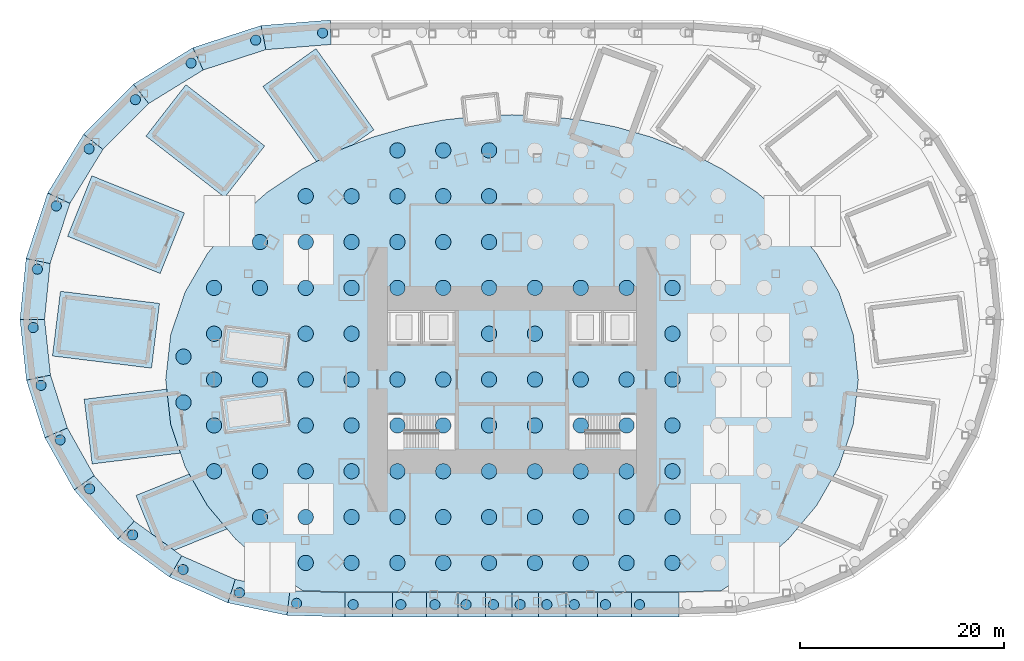
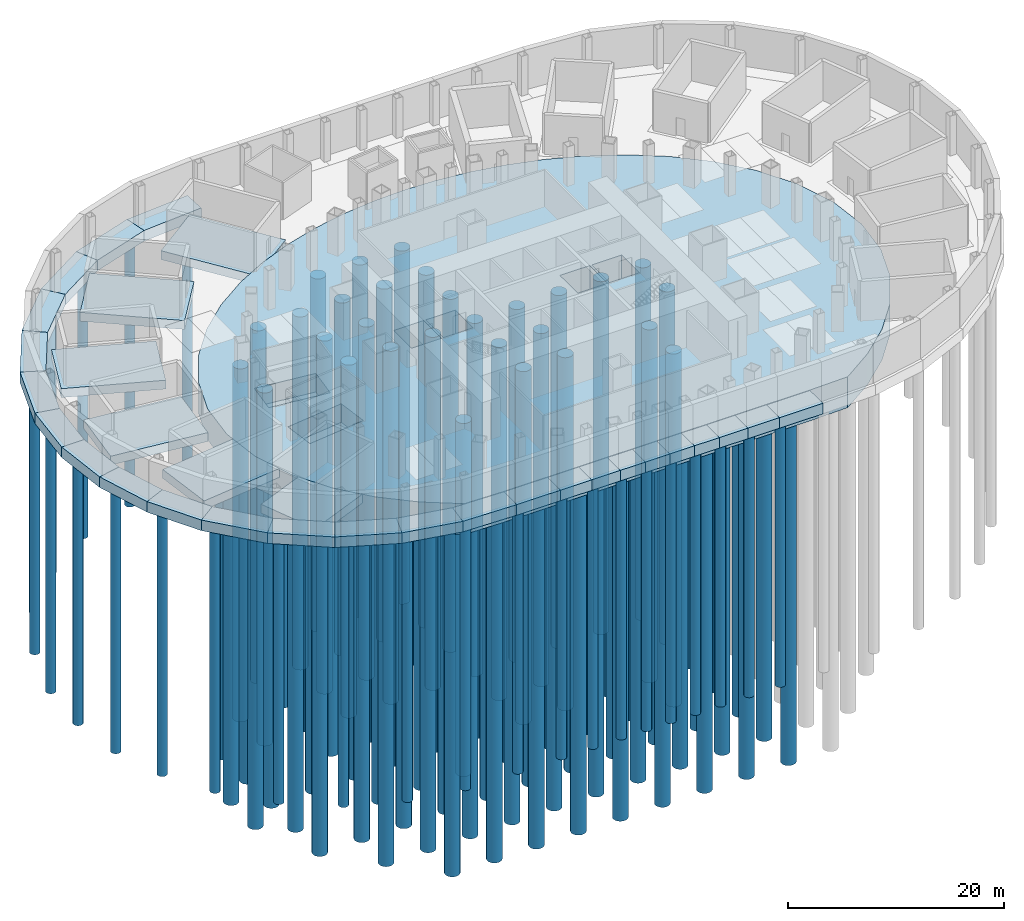
# One storey, part 1 of 11: 109 piles, 34 footings.
"""IFC4 building model written with IfcOpenShell, lengths in metres."""

from ifc_helpers import new_model, si_unit, direction, frame, origin, origin_2d, place, context, subcontext, project, spatial, polyline, circle, outline, extrude, material, layer, layer_set, material_profile, profile_set, type_object, element, save


model = new_model("IFC4")

# Units and contexts
model_context = context("Model", 3, precision=1e-05, world=origin(), true_north=direction((0.0, 1.0)))
body_context = subcontext(model_context, "Body", "Model", "MODEL_VIEW")
ifc_project = project(units=[si_unit("LENGTHUNIT", "METRE"), si_unit("AREAUNIT", "SQUARE_METRE"), si_unit("VOLUMEUNIT", "CUBIC_METRE"), si_unit("PLANEANGLEUNIT", "RADIAN"), si_unit("MASSUNIT", "GRAM", prefix="KILO")], contexts=[model_context])

# Site, building, storey
site_placement = place(None, origin())
site = spatial("IfcSite", under=ifc_project, at=site_placement, CompositionType="ELEMENT")
building_placement = place(site_placement, origin())
building = spatial("IfcBuilding", under=site, at=building_placement, Name="Lantaw Convention Tower", CompositionType="ELEMENT")
storey_placement = place(building_placement, frame((0.0, 0.0, -10.0)))
storey = spatial("IfcBuildingStorey", under=building, at=storey_placement, Name="B2", CompositionType="ELEMENT", Elevation=-10.0)

# Piles
ifc_material_1 = material(Name="Concrete C45/55", Category="concrete")
ifc_material_profile_1 = material_profile(ifc_material_1, circle(Radius=0.5, at=origin_2d()), Name="Bored pile 1000")
ifc_profile_set_1 = profile_set([ifc_material_profile_1], Name="Concrete C45/55")
pile_type_1 = type_object("IfcPileType", Name="Bored pile 1000", PredefinedType="BORED", material=ifc_profile_set_1)
for number, where, z_axis, x_axis, name in (
    (1, (-18.5947265625, 34.035888671875, -1.199951171875), (0.0, 0.0, -1.0), (1.0, 0.0, 0.0), "Wall pile 17"),
    (2, (-25.162353515625, 33.32275390625, -1.199951171875), (0.0, 0.0, -1.0), (1.0, 0.0, 0.0), "Wall pile 18"),
    (3, (-31.501708984375, 31.06689453125, -1.199951171875), (0.0, 0.0, -1.0), (1.0, 0.0, 0.0), "Wall pile 19"),
    (4, (-36.978515625, 27.47900390625, -1.199951171875), (0.0, 0.0, -1.0), (1.0, 0.0, 0.0), "Wall pile 20"),
    (5, (-41.524658203125, 22.654052734375, -1.199951171875), (0.0, 0.0, -1.0), (1.0, 0.0, 0.0), "Wall pile 21"),
    (6, (-44.7412109375, 17.0498046875, -1.199951171875), (0.0, 0.0, -1.0), (1.0, 0.0, 0.0), "Wall pile 22"),
    (7, (-46.603271484375, 10.837158203125, -1.199951171875), (0.0, 0.0, -1.0), (1.0, 0.0, 0.0), "Wall pile 23"),
    (8, (-47.010498046875, 5.101318359375, -1.199951171875), (0.0, 0.0, -1.0), (1.0, 0.0, 0.0), "Wall pile 24"),
    (9, (-46.243408203125, -0.5751953125, -1.199951171875), (0.0, 0.0, -1.0), (1.0, 0.0, 0.0), "Wall pile 25"),
    (10, (-44.359375, -5.932861328125, -1.199951171875), (0.0, 0.0, -1.0), (1.0, 0.0, 0.0), "Wall pile 26"),
    (11, (-41.47265625, -10.732666015625, -1.199951171875), (0.0, 0.0, -1.0), (1.0, 0.0, 0.0), "Wall pile 27"),
    (12, (-37.2509765625, -15.2607421875, -1.199951171875), (0.0, 0.0, -1.0), (1.0, 0.0, 0.0), "Wall pile 28"),
    (13, (-32.29150390625, -18.667724609375, -1.199951171875), (0.0, 0.0, -1.0), (1.0, 0.0, 0.0), "Wall pile 29"),
    (14, (-26.7509765625, -20.93212890625, -1.199951171875), (0.0, 0.0, -1.0), (1.0, 0.0, 0.0), "Wall pile 30"),
    (15, (-21.149169921875, -21.964111328125, -1.199951171875), (0.0, 0.0, -1.0), (1.0, 0.0, 0.0), "Wall pile 31"),
    (16, (-15.5927734375, -22.10009765625, -1.199951171875), (0.0, 0.0, -1.0), (1.0, 0.0, 0.0), "Wall pile 32"),
    (17, (-10.919189453125, -22.10009765625, -1.199951171875), (0.0, 0.0, -1.0), (1.0, 0.0, 0.0), "Wall pile 33"),
    (18, (-7.5712890625, -22.10009765625, -1.199951171875), (0.0, 0.0, -1.0), (1.0, 0.0, 0.0), "Wall pile 34"),
    (19, (-4.510009765625, -22.10009765625, -1.199951171875), (0.0, 0.0, -1.0), (1.0, 0.0, 0.0), "Wall pile 35"),
    (20, (-1.820556640625, -22.10009765625, -1.199951171875), (0.0, 0.0, -1.0), (1.0, 0.0, 0.0), "Wall pile 36"),
    (21, (0.800048828125, -22.10009765625, -1.199951171875), (0.0, 0.0, -1.0), (1.0, 0.0, 0.0), "Wall pile 37"),
    (22, (3.42041015625, -22.10009765625, -1.199951171875), (0.0, 0.0, -1.0), (1.0, 0.0, 0.0), "Wall pile 38"),
    (23, (6.10986328125, -22.10009765625, -1.199951171875), (0.0, 0.0, -1.0), (1.0, 0.0, 0.0), "Wall pile 39"),
    (24, (9.17138671875, -22.10009765625, -1.199951171875), (0.0, 0.0, -1.0), (1.0, 0.0, 0.0), "Wall pile 40"),
    (25, (12.51904296875, -22.10009765625, -1.199951171875), (0.0, 0.0, -1.0), (1.0, 0.0, 0.0), "Wall pile 41"),
):
    element("IfcPile", number, at=place(storey_placement, frame(where, z_axis=z_axis, x_axis=x_axis)), inside=storey, type_object=pile_type_1, Name=name, PredefinedType="BORED", context=body_context, shape_type="SweptSolid", body=[
        extrude(circle(Radius=0.5, at=origin_2d()), origin(), (0.0, 0.0, 1.0), 30.0),
    ])
ifc_material_profile_2 = material_profile(ifc_material_1, circle(Radius=0.75, at=origin_2d()), Name="Bored pile 1500")
ifc_profile_set_2 = profile_set([ifc_material_profile_2], Name="Concrete C45/55")
pile_type_2 = type_object("IfcPileType", Name="Bored pile 1500", PredefinedType="BORED", material=ifc_profile_set_2)
for number, where, z_axis, x_axis, name in (
    (26, (-20.25, -18.0, -3.5), (0.0, 0.0, -1.0), (1.0, 0.0, 0.0), "Raft pile 1"),
    (27, (-15.75, -18.0, -3.5), (0.0, 0.0, -1.0), (1.0, 0.0, 0.0), "Raft pile 2"),
    (28, (-11.25, -18.0, -3.5), (0.0, 0.0, -1.0), (1.0, 0.0, 0.0), "Raft pile 3"),
    (29, (-6.75, -18.0, -3.5), (0.0, 0.0, -1.0), (1.0, 0.0, 0.0), "Raft pile 4"),
    (30, (-2.25, -18.0, -3.5), (0.0, 0.0, -1.0), (1.0, 0.0, 0.0), "Raft pile 5"),
    (31, (2.25, -18.0, -3.5), (0.0, 0.0, -1.0), (1.0, 0.0, 0.0), "Raft pile 6"),
    (32, (6.75, -18.0, -3.5), (0.0, 0.0, -1.0), (1.0, 0.0, 0.0), "Raft pile 7"),
    (33, (11.25, -18.0, -3.5), (0.0, 0.0, -1.0), (1.0, 0.0, 0.0), "Raft pile 8"),
    (34, (15.75, -18.0, -3.5), (0.0, 0.0, -1.0), (1.0, 0.0, 0.0), "Raft pile 9"),
    (35, (-24.75, -13.5, -3.5), (0.0, 0.0, -1.0), (1.0, 0.0, 0.0), "Raft pile 11"),
    (36, (-20.25, -13.5, -3.5), (0.0, 0.0, -1.0), (1.0, 0.0, 0.0), "Raft pile 12"),
    (37, (-15.75, -13.5, -3.5), (0.0, 0.0, -1.0), (1.0, 0.0, 0.0), "Raft pile 13"),
    (38, (-11.25, -13.5, -3.5), (0.0, 0.0, -1.0), (1.0, 0.0, 0.0), "Raft pile 14"),
    (39, (-6.75, -13.5, -3.5), (0.0, 0.0, -1.0), (1.0, 0.0, 0.0), "Raft pile 15"),
    (40, (-2.25, -13.5, -3.5), (0.0, 0.0, -1.0), (1.0, 0.0, 0.0), "Raft pile 16"),
    (41, (2.25, -13.5, -3.5), (0.0, 0.0, -1.0), (1.0, 0.0, 0.0), "Raft pile 17"),
    (42, (6.75, -13.5, -3.5), (0.0, 0.0, -1.0), (1.0, 0.0, 0.0), "Raft pile 18"),
    (43, (11.25, -13.5, -3.5), (0.0, 0.0, -1.0), (1.0, 0.0, 0.0), "Raft pile 19"),
    (44, (15.75, -13.5, -3.5), (0.0, 0.0, -1.0), (1.0, 0.0, 0.0), "Raft pile 20"),
    (45, (-29.25, -9.0, -3.5), (0.0, 0.0, -1.0), (1.0, 0.0, 0.0), "Raft pile 23"),
    (46, (-24.75, -9.0, -3.5), (0.0, 0.0, -1.0), (1.0, 0.0, 0.0), "Raft pile 24"),
    (47, (-20.25, -9.0, -3.5), (0.0, 0.0, -1.0), (1.0, 0.0, 0.0), "Raft pile 25"),
    (48, (-15.75, -9.0, -3.5), (0.0, 0.0, -1.0), (1.0, 0.0, 0.0), "Raft pile 26"),
    (49, (-11.25, -9.0, -3.5), (0.0, 0.0, -1.0), (1.0, 0.0, 0.0), "Raft pile 27"),
    (50, (-6.75, -9.0, -3.5), (0.0, 0.0, -1.0), (1.0, 0.0, 0.0), "Raft pile 28"),
    (51, (-2.25, -9.0, -3.5), (0.0, 0.0, -1.0), (1.0, 0.0, 0.0), "Raft pile 29"),
    (52, (2.25, -9.0, -3.5), (0.0, 0.0, -1.0), (1.0, 0.0, 0.0), "Raft pile 30"),
    (53, (6.75, -9.0, -3.5), (0.0, 0.0, -1.0), (1.0, 0.0, 0.0), "Raft pile 31"),
    (54, (11.25, -9.0, -3.5), (0.0, 0.0, -1.0), (1.0, 0.0, 0.0), "Raft pile 32"),
    (55, (15.75, -9.0, -3.5), (0.0, 0.0, -1.0), (1.0, 0.0, 0.0), "Raft pile 33"),
    (56, (-29.25, -4.5, -3.5), (0.0, 0.0, -1.0), (1.0, 0.0, 0.0), "Raft pile 37"),
    (57, (-32.25, -2.25, -3.5), (0.0, 0.0, -1.0), (1.0, 0.0, 0.0), "Raft pile 38"),
    (58, (-20.25, -4.5, -3.5), (0.0, 0.0, -1.0), (1.0, 0.0, 0.0), "Raft pile 39"),
    (59, (-15.75, -4.5, -3.5), (0.0, 0.0, -1.0), (1.0, 0.0, 0.0), "Raft pile 40"),
    (60, (-11.25, -4.5, -3.5), (0.0, 0.0, -1.0), (1.0, 0.0, 0.0), "Raft pile 41"),
    (61, (-6.75, -4.5, -3.5), (0.0, 0.0, -1.0), (1.0, 0.0, 0.0), "Raft pile 42"),
    (62, (-2.25, -4.5, -3.5), (0.0, 0.0, -1.0), (1.0, 0.0, 0.0), "Raft pile 43"),
    (63, (2.25, -4.5, -3.5), (0.0, 0.0, -1.0), (1.0, 0.0, 0.0), "Raft pile 44"),
    (64, (6.75, -4.5, -3.5), (0.0, 0.0, -1.0), (1.0, 0.0, 0.0), "Raft pile 45"),
    (65, (11.25, -4.5, -3.5), (0.0, 0.0, -1.0), (1.0, 0.0, 0.0), "Raft pile 46"),
    (66, (15.75, -4.5, -3.5), (0.0, 0.0, -1.0), (1.0, 0.0, 0.0), "Raft pile 47"),
    (67, (-29.25, 0.0, -3.5), (0.0, 0.0, -1.0), (1.0, 0.0, 0.0), "Raft pile 51"),
    (68, (-24.75, 0.0, -3.5), (0.0, 0.0, -1.0), (1.0, 0.0, 0.0), "Raft pile 52"),
    (69, (-20.25, 0.0, -3.5), (0.0, 0.0, -1.0), (1.0, 0.0, 0.0), "Raft pile 53"),
    (70, (-15.75, 0.0, -3.5), (0.0, 0.0, -1.0), (1.0, 0.0, 0.0), "Raft pile 54"),
    (71, (-11.25, 0.0, -3.5), (0.0, 0.0, -1.0), (1.0, 0.0, 0.0), "Raft pile 55"),
    (72, (-6.75, 0.0, -3.5), (0.0, 0.0, -1.0), (1.0, 0.0, 0.0), "Raft pile 56"),
    (73, (-2.25, 0.0, -3.5), (0.0, 0.0, -1.0), (1.0, 0.0, 0.0), "Raft pile 57"),
    (74, (2.25, 0.0, -3.5), (0.0, 0.0, -1.0), (1.0, 0.0, 0.0), "Raft pile 58"),
    (75, (6.75, 0.0, -3.5), (0.0, 0.0, -1.0), (1.0, 0.0, 0.0), "Raft pile 59"),
    (76, (11.25, 0.0, -3.5), (0.0, 0.0, -1.0), (1.0, 0.0, 0.0), "Raft pile 60"),
    (77, (15.75, 0.0, -3.5), (0.0, 0.0, -1.0), (1.0, 0.0, 0.0), "Raft pile 61"),
    (78, (-29.25, 4.5, -3.5), (0.0, 0.0, -1.0), (1.0, 0.0, 0.0), "Raft pile 65"),
    (79, (-32.25, 2.25, -3.5), (0.0, 0.0, -1.0), (1.0, 0.0, 0.0), "Raft pile 66"),
    (80, (-20.25, 4.5, -3.5), (0.0, 0.0, -1.0), (1.0, 0.0, 0.0), "Raft pile 67"),
    (81, (-15.75, 4.5, -3.5), (0.0, 0.0, -1.0), (1.0, 0.0, 0.0), "Raft pile 68"),
    (82, (-2.25, 4.5, -3.5), (0.0, 0.0, -1.0), (1.0, 0.0, 0.0), "Raft pile 69"),
    (83, (2.25, 4.5, -3.5), (0.0, 0.0, -1.0), (1.0, 0.0, 0.0), "Raft pile 70"),
    (84, (15.75, 4.5, -3.5), (0.0, 0.0, -1.0), (1.0, 0.0, 0.0), "Raft pile 71"),
    (85, (-29.25, 9.0, -3.5), (0.0, 0.0, -1.0), (1.0, 0.0, 0.0), "Raft pile 75"),
    (86, (-24.75, 9.0, -3.5), (0.0, 0.0, -1.0), (1.0, 0.0, 0.0), "Raft pile 76"),
    (87, (-20.25, 9.0, -3.5), (0.0, 0.0, -1.0), (1.0, 0.0, 0.0), "Raft pile 77"),
    (88, (-15.75, 9.0, -3.5), (0.0, 0.0, -1.0), (1.0, 0.0, 0.0), "Raft pile 78"),
    (89, (-11.25, 9.0, -3.5), (0.0, 0.0, -1.0), (1.0, 0.0, 0.0), "Raft pile 79"),
    (90, (-6.75, 9.0, -3.5), (0.0, 0.0, -1.0), (1.0, 0.0, 0.0), "Raft pile 80"),
    (91, (-2.25, 9.0, -3.5), (0.0, 0.0, -1.0), (1.0, 0.0, 0.0), "Raft pile 81"),
    (92, (2.25, 9.0, -3.5), (0.0, 0.0, -1.0), (1.0, 0.0, 0.0), "Raft pile 82"),
    (93, (6.75, 9.0, -3.5), (0.0, 0.0, -1.0), (1.0, 0.0, 0.0), "Raft pile 83"),
    (94, (11.25, 9.0, -3.5), (0.0, 0.0, -1.0), (1.0, 0.0, 0.0), "Raft pile 84"),
    (95, (15.75, 9.0, -3.5), (0.0, 0.0, -1.0), (1.0, 0.0, 0.0), "Raft pile 85"),
    (96, (-24.75, 13.5, -3.5), (0.0, 0.0, -1.0), (1.0, 0.0, 0.0), "Raft pile 89"),
    (97, (-20.25, 13.5, -3.5), (0.0, 0.0, -1.0), (1.0, 0.0, 0.0), "Raft pile 90"),
    (98, (-15.75, 13.5, -3.5), (0.0, 0.0, -1.0), (1.0, 0.0, 0.0), "Raft pile 91"),
    (99, (-11.25, 13.5, -3.5), (0.0, 0.0, -1.0), (1.0, 0.0, 0.0), "Raft pile 92"),
    (100, (-6.75, 13.5, -3.5), (0.0, 0.0, -1.0), (1.0, 0.0, 0.0), "Raft pile 93"),
    (101, (-2.25, 13.5, -3.5), (0.0, 0.0, -1.0), (1.0, 0.0, 0.0), "Raft pile 94"),
    (102, (-20.25, 18.0, -3.5), (0.0, 0.0, -1.0), (1.0, 0.0, 0.0), "Raft pile 101"),
    (103, (-15.75, 18.0, -3.5), (0.0, 0.0, -1.0), (1.0, 0.0, 0.0), "Raft pile 102"),
    (104, (-11.25, 18.0, -3.5), (0.0, 0.0, -1.0), (1.0, 0.0, 0.0), "Raft pile 103"),
    (105, (-6.75, 18.0, -3.5), (0.0, 0.0, -1.0), (1.0, 0.0, 0.0), "Raft pile 104"),
    (106, (-2.25, 18.0, -3.5), (0.0, 0.0, -1.0), (1.0, 0.0, 0.0), "Raft pile 105"),
    (107, (-11.25, 22.5, -3.5), (0.0, 0.0, -1.0), (1.0, 0.0, 0.0), "Raft pile 111"),
    (108, (-6.75, 22.5, -3.5), (0.0, 0.0, -1.0), (1.0, 0.0, 0.0), "Raft pile 112"),
    (109, (-2.25, 22.5, -3.5), (0.0, 0.0, -1.0), (1.0, 0.0, 0.0), "Raft pile 113"),
):
    element("IfcPile", number, at=place(storey_placement, frame(where, z_axis=z_axis, x_axis=x_axis)), inside=storey, type_object=pile_type_2, Name=name, PredefinedType="BORED", context=body_context, shape_type="SweptSolid", body=[
        extrude(circle(Radius=0.75, at=origin_2d()), origin(), (0.0, 0.0, 1.0), 40.0),
    ])

# Footings
ifc_material_2 = material(Name="Concrete C40/50", Category="concrete")
ifc_layer_1 = layer(ifc_material_2, 1.0)
ifc_layer_set_1 = layer_set([ifc_layer_1], Name="Car lift pit footing 1000")
footing_type_1 = type_object("IfcFootingType", Name="Car lift pit footing 1000", PredefinedType="PAD_FOOTING", material=ifc_layer_set_1)
footing_1_placement = place(storey_placement, frame((0.0, 0.0, -3.5)))
element("IfcFooting", 110, at=footing_1_placement, inside=storey, type_object=footing_type_1, Name="Car lift pit footing CL1", PredefinedType="PAD_FOOTING", context=body_context, shape_type="SweptSolid", body=[
    extrude(outline(polyline([(-21.926513671875, 4.405029296875), (-28.080322265625, 5.16064453125), (-28.49462890625, 1.785888671875), (-22.341064453125, 1.0302734375), (-21.926513671875, 4.405029296875)])), origin(), (0.0, 0.0, 1.0), 1.39990234375),
])
footing_2_placement = place(storey_placement, frame((0.0, 0.0, -3.5)))
element("IfcFooting", 111, at=footing_2_placement, inside=storey, type_object=footing_type_1, Name="Car lift pit footing CL2", PredefinedType="PAD_FOOTING", context=body_context, shape_type="SweptSolid", body=[
    extrude(outline(polyline([(-22.341064453125, -1.0302734375), (-28.49462890625, -1.785888671875), (-28.080322265625, -5.16064453125), (-21.926513671875, -4.405029296875), (-22.341064453125, -1.0302734375)])), origin(), (0.0, 0.0, 1.0), 1.39990234375),
])
ifc_layer_2 = layer(ifc_material_2, 3.5)
ifc_layer_set_2 = layer_set([ifc_layer_2], Name="Piled raft 3500")
footing_type_2 = type_object("IfcFootingType", Name="Piled raft 3500", PredefinedType="PILE_CAP", material=ifc_layer_set_2)
footing_3_placement = place(storey_placement, frame((0.0, 0.0, -3.5)))
element("IfcFooting", 112, at=footing_3_placement, inside=storey, type_object=footing_type_2, Name="Tower piled raft", PredefinedType="PILE_CAP", context=body_context, shape_type="SweptSolid", body=[
    extrude(outline(polyline([(-20.6533203125, -20.6533203125), (-20.499755859375, -20.732177734375), (-16.375, -20.85009765625), (-11.718994140625, -20.85009765625), (-8.371337890625, -20.85009765625), (-5.31005859375, -20.85009765625), (-2.62060546875, -20.85009765625), (0.0, -20.85009765625), (2.62060546875, -20.85009765625), (5.31005859375, -20.85009765625), (8.371337890625, -20.85009765625), (11.718994140625, -20.85009765625), (16.375, -20.85009765625), (20.499755859375, -20.732177734375), (20.6533203125, -20.6533203125), (24.00048828125, -18.416259765625), (27.134765625, -15.666259765625), (29.89599609375, -12.38330078125), (32.087158203125, -8.59765625), (33.507080078125, -4.411376953125), (34.0, 0.0), (33.507080078125, 4.411376953125), (32.087158203125, 8.59765625), (29.89599609375, 12.38330078125), (27.134765625, 15.666259765625), (24.00048828125, 18.416259765625), (20.6533203125, 20.6533203125), (17.20703125, 22.424560546875), (13.732177734375, 23.784912109375), (10.266845703125, 24.786376953125), (6.824951171875, 25.470703125), (3.40576171875, 25.869140625), (0.0, 26.0), (-3.40576171875, 25.869140625), (-6.824951171875, 25.470703125), (-10.266845703125, 24.786376953125), (-13.732177734375, 23.784912109375), (-17.20703125, 22.424560546875), (-20.6533203125, 20.6533203125), (-24.00048828125, 18.416259765625), (-27.134765625, 15.666259765625), (-29.89599609375, 12.38330078125), (-32.087158203125, 8.59765625), (-33.507080078125, 4.411376953125), (-34.0, 0.0), (-33.507080078125, -4.411376953125), (-32.087158203125, -8.59765625), (-29.89599609375, -12.38330078125), (-27.134765625, -15.666259765625), (-24.00048828125, -18.416259765625), (-20.6533203125, -20.6533203125)]), holes=[polyline([(-8.800048828125, 3.5), (-5.60009765625, 3.5), (-5.60009765625, 6.800048828125), (-8.800048828125, 6.800048828125), (-8.800048828125, 3.5)]), polyline([(-12.199951171875, 3.5), (-9.0, 3.5), (-9.0, 6.800048828125), (-12.199951171875, 6.800048828125), (-12.199951171875, 3.5)]), polyline([(5.60009765625, 3.5), (8.800048828125, 3.5), (8.800048828125, 6.800048828125), (5.60009765625, 6.800048828125), (5.60009765625, 3.5)]), polyline([(9.0, 3.5), (12.199951171875, 3.5), (12.199951171875, 6.800048828125), (9.0, 6.800048828125), (9.0, 3.5)]), polyline([(-21.926513671875, 4.405029296875), (-28.080322265625, 5.16064453125), (-28.49462890625, 1.785888671875), (-22.341064453125, 1.0302734375), (-21.926513671875, 4.405029296875)]), polyline([(-22.341064453125, -1.0302734375), (-28.49462890625, -1.785888671875), (-28.080322265625, -5.16064453125), (-21.926513671875, -4.405029296875), (-22.341064453125, -1.0302734375)])]), origin(), (0.0, 0.0, 1.0), 3.5),
])
ifc_layer_3 = layer(ifc_material_2, 1.0)
ifc_layer_set_3 = layer_set([ifc_layer_3], Name="Stair core footing 1000")
footing_type_3 = type_object("IfcFootingType", Name="Stair core footing 1000", PredefinedType="PAD_FOOTING", material=ifc_layer_set_3)
footing_4_placement = place(storey_placement, frame((0.0, 0.0, -1.0)))
element("IfcFooting", 113, at=footing_4_placement, inside=storey, type_object=footing_type_3, Name="Stair core footing P6", PredefinedType="PAD_FOOTING", context=body_context, shape_type="SweptSolid", body=[
    extrude(outline(polyline([(-24.454833984375, 28.773681640625), (-19.196533203125, 21.402099609375), (-17.20703125, 22.424560546875), (-15.59521484375, 23.0556640625), (-13.553466796875, 24.511962890625), (-19.244384765625, 32.490234375), (-24.454833984375, 28.773681640625)])), origin(), (0.0, 0.0, 1.0), 1.0),
])
footing_5_placement = place(storey_placement, frame((0.0, 0.0, -1.0)))
element("IfcFooting", 114, at=footing_5_placement, inside=storey, type_object=footing_type_3, Name="Stair core footing P7", PredefinedType="PAD_FOOTING", context=body_context, shape_type="SweptSolid", body=[
    extrude(outline(polyline([(-28.205078125, 17.88134765625), (-24.27587890625, 22.933349609375), (-32.011962890625, 28.94970703125), (-35.94091796875, 23.897705078125), (-28.205078125, 17.88134765625)])), origin(), (0.0, 0.0, 1.0), 1.0),
])
footing_6_placement = place(storey_placement, frame((0.0, 0.0, -1.0)))
element("IfcFooting", 115, at=footing_6_placement, inside=storey, type_object=footing_type_3, Name="Stair core footing P8", PredefinedType="PAD_FOOTING", context=body_context, shape_type="SweptSolid", body=[
    extrude(outline(polyline([(-34.533935546875, 10.4150390625), (-32.149658203125, 16.3544921875), (-41.244384765625, 20.00537109375), (-43.628662109375, 14.066162109375), (-34.533935546875, 10.4150390625)])), origin(), (0.0, 0.0, 1.0), 1.0),
])
footing_7_placement = place(storey_placement, frame((0.0, 0.0, -1.0)))
element("IfcFooting", 116, at=footing_7_placement, inside=storey, type_object=footing_type_3, Name="Stair core footing P9", PredefinedType="PAD_FOOTING", context=body_context, shape_type="SweptSolid", body=[
    extrude(outline(polyline([(-35.387451171875, 1.12109375), (-34.607421875, 7.473388671875), (-44.33447265625, 8.667724609375), (-45.114501953125, 2.3154296875), (-35.387451171875, 1.12109375)])), origin(), (0.0, 0.0, 1.0), 1.0),
])
footing_8_placement = place(storey_placement, frame((0.0, 0.0, -1.0)))
element("IfcFooting", 117, at=footing_8_placement, inside=storey, type_object=footing_type_3, Name="Stair core footing P10", PredefinedType="PAD_FOOTING", context=body_context, shape_type="SweptSolid", body=[
    extrude(outline(polyline([(-41.22021484375, -8.28515625), (-32.55419921875, -7.22119140625), (-33.507080078125, -4.411376953125), (-33.895263671875, -0.937744140625), (-42.000244140625, -1.932861328125), (-41.22021484375, -8.28515625)])), origin(), (0.0, 0.0, 1.0), 1.0),
])
footing_9_placement = place(storey_placement, frame((0.0, 0.0, -1.0)))
element("IfcFooting", 118, at=footing_9_placement, inside=storey, type_object=footing_type_3, Name="Stair core footing P11", PredefinedType="PAD_FOOTING", context=body_context, shape_type="SweptSolid", body=[
    extrude(outline(polyline([(-36.91552734375, -11.37109375), (-35.41162109375, -15.1171875), (-33.15966796875, -16.759765625), (-27.968017578125, -14.67578125), (-29.89599609375, -12.38330078125), (-31.695068359375, -9.275390625), (-36.91552734375, -11.37109375)])), origin(), (0.0, 0.0, 1.0), 1.0),
])
footing_type_4 = type_object("IfcFootingType", Name="Strip footing 2400x1200", PredefinedType="STRIP_FOOTING", material=ifc_material_2)
footing_10_placement = place(storey_placement, frame((0.0, 0.0, -1.199951171875)))
element("IfcFooting", 119, at=footing_10_placement, inside=storey, type_object=footing_type_4, Name="Basement wall strip footing 17", PredefinedType="STRIP_FOOTING", context=body_context, shape_type="SweptSolid", body=[
    extrude(outline(polyline([(-17.845458984375, 35.300048828125), (-24.637939453125, 34.754638671875), (-24.1650390625, 32.384765625), (-17.749267578125, 32.89990234375), (-17.845458984375, 35.300048828125)])), origin(), (0.0, 0.0, 1.0), 1.199951171875),
])
footing_11_placement = place(storey_placement, frame((0.0, 0.0, -1.199951171875)))
element("IfcFooting", 120, at=footing_11_placement, inside=storey, type_object=footing_type_4, Name="Basement wall strip footing 18", PredefinedType="STRIP_FOOTING", context=body_context, shape_type="SweptSolid", body=[
    extrude(outline(polyline([(-24.637939453125, 34.754638671875), (-31.326904296875, 32.5830078125), (-30.3134765625, 30.388671875), (-24.1650390625, 32.384765625), (-24.637939453125, 34.754638671875)])), origin(), (0.0, 0.0, 1.0), 1.199951171875),
])
footing_12_placement = place(storey_placement, frame((0.0, 0.0, -1.199951171875)))
element("IfcFooting", 121, at=footing_12_placement, inside=storey, type_object=footing_type_4, Name="Basement wall strip footing 19", PredefinedType="STRIP_FOOTING", context=body_context, shape_type="SweptSolid", body=[
    extrude(outline(polyline([(-31.326904296875, 32.5830078125), (-37.16357421875, 28.993408203125), (-35.6640625, 27.09814453125), (-30.3134765625, 30.388671875), (-31.326904296875, 32.5830078125)])), origin(), (0.0, 0.0, 1.0), 1.199951171875),
])
footing_13_placement = place(storey_placement, frame((0.0, 0.0, -1.199951171875)))
element("IfcFooting", 122, at=footing_13_placement, inside=storey, type_object=footing_type_4, Name="Basement wall strip footing 20", PredefinedType="STRIP_FOOTING", context=body_context, shape_type="SweptSolid", body=[
    extrude(outline(polyline([(-37.16357421875, 28.993408203125), (-42.056396484375, 24.08349609375), (-40.1572265625, 22.58935546875), (-35.6640625, 27.09814453125), (-37.16357421875, 28.993408203125)])), origin(), (0.0, 0.0, 1.0), 1.199951171875),
])
footing_14_placement = place(storey_placement, frame((0.0, 0.0, -1.199951171875)))
element("IfcFooting", 123, at=footing_14_placement, inside=storey, type_object=footing_type_4, Name="Basement wall strip footing 21", PredefinedType="STRIP_FOOTING", context=body_context, shape_type="SweptSolid", body=[
    extrude(outline(polyline([(-42.056396484375, 24.08349609375), (-45.58740234375, 18.3173828125), (-43.39501953125, 17.302001953125), (-40.1572265625, 22.58935546875), (-42.056396484375, 24.08349609375)])), origin(), (0.0, 0.0, 1.0), 1.199951171875),
])
footing_15_placement = place(storey_placement, frame((0.0, 0.0, -1.199951171875)))
element("IfcFooting", 124, at=footing_15_placement, inside=storey, type_object=footing_type_4, Name="Basement wall strip footing 22", PredefinedType="STRIP_FOOTING", context=body_context, shape_type="SweptSolid", body=[
    extrude(outline(polyline([(-45.58740234375, 18.3173828125), (-47.705078125, 11.883056640625), (-45.343017578125, 11.383056640625), (-43.39501953125, 17.302001953125), (-45.58740234375, 18.3173828125)])), origin(), (0.0, 0.0, 1.0), 1.199951171875),
])
footing_16_placement = place(storey_placement, frame((0.0, 0.0, -1.199951171875)))
element("IfcFooting", 125, at=footing_16_placement, inside=storey, type_object=footing_type_4, Name="Basement wall strip footing 23", PredefinedType="STRIP_FOOTING", context=body_context, shape_type="SweptSolid", body=[
    extrude(outline(polyline([(-47.705078125, 11.883056640625), (-48.30126953125, 5.892578125), (-45.888671875, 5.90087890625), (-45.343017578125, 11.383056640625), (-47.705078125, 11.883056640625)])), origin(), (0.0, 0.0, 1.0), 1.199951171875),
])
footing_17_placement = place(storey_placement, frame((0.0, 0.0, -1.199951171875)))
element("IfcFooting", 126, at=footing_17_placement, inside=storey, type_object=footing_type_4, Name="Basement wall strip footing 24", PredefinedType="STRIP_FOOTING", context=body_context, shape_type="SweptSolid", body=[
    extrude(outline(polyline([(-48.30126953125, 5.892578125), (-47.66748046875, -0.062255859375), (-45.30712890625, 0.435791015625), (-45.888671875, 5.90087890625), (-48.30126953125, 5.892578125)])), origin(), (0.0, 0.0, 1.0), 1.199951171875),
])
footing_18_placement = place(storey_placement, frame((0.0, 0.0, -1.199951171875)))
element("IfcFooting", 127, at=footing_18_placement, inside=storey, type_object=footing_type_4, Name="Basement wall strip footing 25", PredefinedType="STRIP_FOOTING", context=body_context, shape_type="SweptSolid", body=[
    extrude(outline(polyline([(-47.66748046875, -0.062255859375), (-45.85693359375, -5.717041015625), (-43.645263671875, -4.753662109375), (-45.30712890625, 0.435791015625), (-47.66748046875, -0.062255859375)])), origin(), (0.0, 0.0, 1.0), 1.199951171875),
])
footing_19_placement = place(storey_placement, frame((0.0, 0.0, -1.199951171875)))
element("IfcFooting", 128, at=footing_19_placement, inside=storey, type_object=footing_type_4, Name="Basement wall strip footing 26", PredefinedType="STRIP_FOOTING", context=body_context, shape_type="SweptSolid", body=[
    extrude(outline(polyline([(-45.85693359375, -5.717041015625), (-42.985595703125, -10.830810546875), (-41.017333984375, -9.434326171875), (-43.645263671875, -4.753662109375), (-45.85693359375, -5.717041015625)])), origin(), (0.0, 0.0, 1.0), 1.199951171875),
])
footing_20_placement = place(storey_placement, frame((0.0, 0.0, -1.199951171875)))
element("IfcFooting", 129, at=footing_20_placement, inside=storey, type_object=footing_type_4, Name="Basement wall strip footing 27", PredefinedType="STRIP_FOOTING", context=body_context, shape_type="SweptSolid", body=[
    extrude(outline(polyline([(-42.985595703125, -10.830810546875), (-38.710693359375, -15.681396484375), (-37.083984375, -13.8974609375), (-41.017333984375, -9.434326171875), (-42.985595703125, -10.830810546875)])), origin(), (0.0, 0.0, 1.0), 1.199951171875),
])
footing_21_placement = place(storey_placement, frame((0.0, 0.0, -1.199951171875)))
element("IfcFooting", 130, at=footing_21_placement, inside=storey, type_object=footing_type_4, Name="Basement wall strip footing 28", PredefinedType="STRIP_FOOTING", context=body_context, shape_type="SweptSolid", body=[
    extrude(outline(polyline([(-38.710693359375, -15.681396484375), (-33.626220703125, -19.390380859375), (-32.420654296875, -17.299072265625), (-37.083984375, -13.8974609375), (-38.710693359375, -15.681396484375)])), origin(), (0.0, 0.0, 1.0), 1.199951171875),
])
footing_22_placement = place(storey_placement, frame((0.0, 0.0, -1.199951171875)))
element("IfcFooting", 131, at=footing_22_placement, inside=storey, type_object=footing_type_4, Name="Basement wall strip footing 29", PredefinedType="STRIP_FOOTING", context=body_context, shape_type="SweptSolid", body=[
    extrude(outline(polyline([(-33.626220703125, -19.390380859375), (-27.903564453125, -21.916259765625), (-27.164306640625, -19.619140625), (-32.420654296875, -17.299072265625), (-33.626220703125, -19.390380859375)])), origin(), (0.0, 0.0, 1.0), 1.199951171875),
])
footing_23_placement = place(storey_placement, frame((0.0, 0.0, -1.199951171875)))
element("IfcFooting", 132, at=footing_23_placement, inside=storey, type_object=footing_type_4, Name="Basement wall strip footing 30", PredefinedType="STRIP_FOOTING", context=body_context, shape_type="SweptSolid", body=[
    extrude(outline(polyline([(-27.903564453125, -21.916259765625), (-22.09033203125, -23.1376953125), (-21.80712890625, -20.744873046875), (-27.164306640625, -19.619140625), (-27.903564453125, -21.916259765625)])), origin(), (0.0, 0.0, 1.0), 1.199951171875),
])
footing_24_placement = place(storey_placement, frame((0.0, 0.0, -1.199951171875)))
element("IfcFooting", 133, at=footing_24_placement, inside=storey, type_object=footing_type_4, Name="Basement wall strip footing 31", PredefinedType="STRIP_FOOTING", context=body_context, shape_type="SweptSolid", body=[
    extrude(outline(polyline([(-22.09033203125, -23.1376953125), (-16.409912109375, -23.300048828125), (-16.375732421875, -20.89990234375), (-21.80712890625, -20.744873046875), (-22.09033203125, -23.1376953125)])), origin(), (0.0, 0.0, 1.0), 1.199951171875),
])
footing_25_placement = place(storey_placement, frame((0.0, 0.0, -1.199951171875)))
element("IfcFooting", 134, at=footing_25_placement, inside=storey, type_object=footing_type_4, Name="Basement wall strip footing 32", PredefinedType="STRIP_FOOTING", context=body_context, shape_type="SweptSolid", body=[
    extrude(outline(polyline([(-16.409912109375, -23.300048828125), (-11.718994140625, -23.300048828125), (-11.718994140625, -20.89990234375), (-16.375732421875, -20.89990234375), (-16.409912109375, -23.300048828125)])), origin(), (0.0, 0.0, 1.0), 1.199951171875),
])
footing_26_placement = place(storey_placement, frame((0.0, 0.0, -1.199951171875)))
element("IfcFooting", 135, at=footing_26_placement, inside=storey, type_object=footing_type_4, Name="Basement wall strip footing 33", PredefinedType="STRIP_FOOTING", context=body_context, shape_type="SweptSolid", body=[
    extrude(outline(polyline([(-11.718994140625, -23.300048828125), (-8.371337890625, -23.300048828125), (-8.371337890625, -20.89990234375), (-11.718994140625, -20.89990234375), (-11.718994140625, -23.300048828125)])), origin(), (0.0, 0.0, 1.0), 1.199951171875),
])
footing_27_placement = place(storey_placement, frame((0.0, 0.0, -1.199951171875)))
element("IfcFooting", 136, at=footing_27_placement, inside=storey, type_object=footing_type_4, Name="Basement wall strip footing 34", PredefinedType="STRIP_FOOTING", context=body_context, shape_type="SweptSolid", body=[
    extrude(outline(polyline([(-8.371337890625, -23.300048828125), (-5.31005859375, -23.300048828125), (-5.31005859375, -20.89990234375), (-8.371337890625, -20.89990234375), (-8.371337890625, -23.300048828125)])), origin(), (0.0, 0.0, 1.0), 1.199951171875),
])
footing_28_placement = place(storey_placement, frame((0.0, 0.0, -1.199951171875)))
element("IfcFooting", 137, at=footing_28_placement, inside=storey, type_object=footing_type_4, Name="Basement wall strip footing 35", PredefinedType="STRIP_FOOTING", context=body_context, shape_type="SweptSolid", body=[
    extrude(outline(polyline([(-5.31005859375, -23.300048828125), (-2.62060546875, -23.300048828125), (-2.62060546875, -20.89990234375), (-5.31005859375, -20.89990234375), (-5.31005859375, -23.300048828125)])), origin(), (0.0, 0.0, 1.0), 1.199951171875),
])
footing_29_placement = place(storey_placement, frame((0.0, 0.0, -1.199951171875)))
element("IfcFooting", 138, at=footing_29_placement, inside=storey, type_object=footing_type_4, Name="Basement wall strip footing 36", PredefinedType="STRIP_FOOTING", context=body_context, shape_type="SweptSolid", body=[
    extrude(outline(polyline([(-2.62060546875, -23.300048828125), (0.0, -23.300048828125), (0.0, -20.89990234375), (-2.62060546875, -20.89990234375), (-2.62060546875, -23.300048828125)])), origin(), (0.0, 0.0, 1.0), 1.199951171875),
])
footing_30_placement = place(storey_placement, frame((0.0, 0.0, -1.199951171875)))
element("IfcFooting", 139, at=footing_30_placement, inside=storey, type_object=footing_type_4, Name="Basement wall strip footing 37", PredefinedType="STRIP_FOOTING", context=body_context, shape_type="SweptSolid", body=[
    extrude(outline(polyline([(0.0, -23.300048828125), (2.62060546875, -23.300048828125), (2.62060546875, -20.89990234375), (0.0, -20.89990234375), (0.0, -23.300048828125)])), origin(), (0.0, 0.0, 1.0), 1.199951171875),
])
footing_31_placement = place(storey_placement, frame((0.0, 0.0, -1.199951171875)))
element("IfcFooting", 140, at=footing_31_placement, inside=storey, type_object=footing_type_4, Name="Basement wall strip footing 38", PredefinedType="STRIP_FOOTING", context=body_context, shape_type="SweptSolid", body=[
    extrude(outline(polyline([(2.62060546875, -23.300048828125), (5.31005859375, -23.300048828125), (5.31005859375, -20.89990234375), (2.62060546875, -20.89990234375), (2.62060546875, -23.300048828125)])), origin(), (0.0, 0.0, 1.0), 1.199951171875),
])
footing_32_placement = place(storey_placement, frame((0.0, 0.0, -1.199951171875)))
element("IfcFooting", 141, at=footing_32_placement, inside=storey, type_object=footing_type_4, Name="Basement wall strip footing 39", PredefinedType="STRIP_FOOTING", context=body_context, shape_type="SweptSolid", body=[
    extrude(outline(polyline([(5.31005859375, -23.300048828125), (8.371337890625, -23.300048828125), (8.371337890625, -20.89990234375), (5.31005859375, -20.89990234375), (5.31005859375, -23.300048828125)])), origin(), (0.0, 0.0, 1.0), 1.199951171875),
])
footing_33_placement = place(storey_placement, frame((0.0, 0.0, -1.199951171875)))
element("IfcFooting", 142, at=footing_33_placement, inside=storey, type_object=footing_type_4, Name="Basement wall strip footing 40", PredefinedType="STRIP_FOOTING", context=body_context, shape_type="SweptSolid", body=[
    extrude(outline(polyline([(8.371337890625, -23.300048828125), (11.718994140625, -23.300048828125), (11.718994140625, -20.89990234375), (8.371337890625, -20.89990234375), (8.371337890625, -23.300048828125)])), origin(), (0.0, 0.0, 1.0), 1.199951171875),
])
footing_34_placement = place(storey_placement, frame((0.0, 0.0, -1.199951171875)))
element("IfcFooting", 143, at=footing_34_placement, inside=storey, type_object=footing_type_4, Name="Basement wall strip footing 41", PredefinedType="STRIP_FOOTING", context=body_context, shape_type="SweptSolid", body=[
    extrude(outline(polyline([(11.718994140625, -23.300048828125), (16.409912109375, -23.300048828125), (16.375732421875, -20.89990234375), (11.718994140625, -20.89990234375), (11.718994140625, -23.300048828125)])), origin(), (0.0, 0.0, 1.0), 1.199951171875),
])

save(model, "model.ifc")
